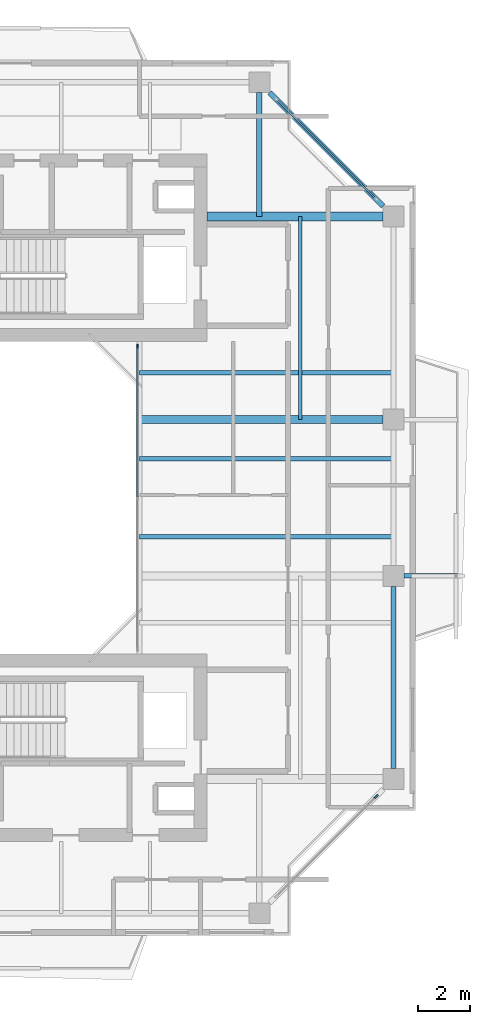
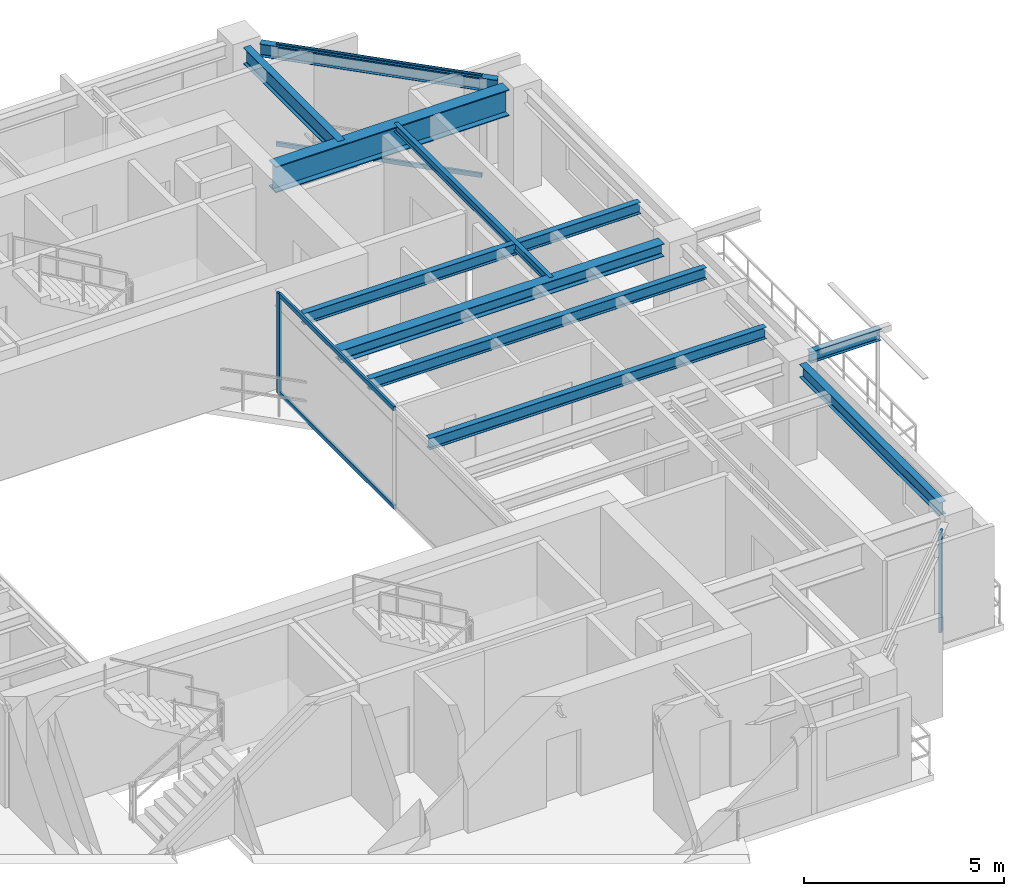
# One storey, part 6 of 16: 10 beams, 6 members, 3 elements without a shape of their own.
"""IFC4 building model written with IfcOpenShell, lengths in metres."""

from ifc_helpers import new_model, si_unit, direction, frame, origin, origin_2d, place, context, subcontext, project, spatial, rectangle, i_section, extrude, source, transform, mapped, material, layer, layer_set, material_profile, profile_set, type_object, element, aggregate, save


model = new_model("IFC4")

# Units and contexts
model_context = context("Model", 3, precision=1e-05, world=origin(), true_north=direction((0.0, 1.0)))
body_context = subcontext(model_context, "Body", "Model", "MODEL_VIEW")
ifc_project = project(units=[si_unit("LENGTHUNIT", "METRE"), si_unit("AREAUNIT", "SQUARE_METRE"), si_unit("VOLUMEUNIT", "CUBIC_METRE"), si_unit("PLANEANGLEUNIT", "RADIAN"), si_unit("MASSUNIT", "GRAM", prefix="KILO"), si_unit("THERMODYNAMICTEMPERATUREUNIT", "KELVIN"), si_unit("POWERUNIT", "WATT")], contexts=[model_context])

# Site, building, storey
site_placement = place(None, origin())
site = spatial("IfcSite", under=ifc_project, at=site_placement, CompositionType="ELEMENT")
building_placement = place(site_placement, origin())
building = spatial("IfcBuilding", under=site, at=building_placement, Name="Qiaomeng Ring Towers", CompositionType="ELEMENT")
storey_placement = place(building_placement, frame((0.0, 0.0, 197.0)))
storey = spatial("IfcBuildingStorey", under=building, at=storey_placement, Name="L57", CompositionType="ELEMENT", Elevation=197.0)

# Beams
ifc_material_1 = material(Name="Steel Q355B", Category="steel")
ifc_material_profile_1 = material_profile(ifc_material_1, i_section(OverallWidth=0.198974609375, OverallDepth=0.39599609375, WebThickness=0.007080078125, FlangeThickness=0.010986328125, FilletRadius=0.01611328125, at=origin_2d()), Name="HN 396x199x7x11")
ifc_profile_set_1 = profile_set([ifc_material_profile_1], Name="Steel Q355B")
beam_type_1 = type_object("IfcBeamType", Name="STR-BM-HN396", PredefinedType="SPANDREL", material=ifc_profile_set_1)
shared_shape_1 = source(origin(), body_context, "Body", "SweptSolid", [
    extrude(i_section(OverallWidth=0.198974609375, OverallDepth=0.39599609375, WebThickness=0.007080078125, FlangeThickness=0.010986328125, FilletRadius=0.01611328125, at=origin_2d()), origin(), (0.0, 0.0, 1.0), 6.154052734375),
])
beam_1_placement = place(storey_placement, frame((34.55078125, 34.19921875, 2.8720703125), z_axis=(-0.707106781187, 0.707106781187, 0.0), x_axis=(-0.707106781187, -0.707106781187, 0.0)))
element("IfcBeam", 1, at=beam_1_placement, inside=storey, type_object=beam_type_1, Name="L57 beam STR-SP-L57-T1-E4-N2", PredefinedType="SPANDREL", context=body_context, shape_type="MappedRepresentation", body=[
    mapped(shared_shape_1, transform((0.0, 0.0, 0.0), x_axis=(1.0, 0.0, 0.0), y_axis=(0.0, 1.0, 0.0), z_axis=(0.0, 0.0, 1.0), scale=1.0)),
])
shared_shape_2 = source(origin(), body_context, "Body", "SweptSolid", [
    extrude(i_section(OverallWidth=0.198974609375, OverallDepth=0.39599609375, WebThickness=0.007080078125, FlangeThickness=0.010986328125, FilletRadius=0.01611328125, at=origin_2d()), origin(), (0.0, 0.0, 1.0), 7.001953125),
])
beam_2_placement = place(storey_placement, frame((34.949951171875, 12.59912109375, 2.8720703125), z_axis=(0.0, 1.0, 0.0), x_axis=(-1.0, 0.0, 0.0)))
element("IfcBeam", 2, at=beam_2_placement, inside=storey, type_object=beam_type_1, Name="L57 beam STR-SP-L57-T1-E1-E2", PredefinedType="SPANDREL", context=body_context, shape_type="MappedRepresentation", body=[
    mapped(shared_shape_2, transform((0.0, 0.0, 0.0), x_axis=(1.0, 0.0, 0.0), y_axis=(0.0, 1.0, 0.0), z_axis=(0.0, 0.0, 1.0), scale=1.0)),
])
ifc_material_2 = material(Name="Steel Q390GJC", Category="steel")
ifc_material_profile_2 = material_profile(ifc_material_2, i_section(OverallWidth=0.35009765625, OverallDepth=0.800048828125, WebThickness=0.01611328125, FlangeThickness=0.028076171875, at=origin_2d()), Name="WH 800x350x16x28")
ifc_profile_set_2 = profile_set([ifc_material_profile_2], Name="Steel Q390GJC")
beam_type_2 = type_object("IfcBeamType", Name="STR-BM-WH800", PredefinedType="BEAM", material=ifc_profile_set_2)
shared_shape_3 = source(origin(), body_context, "Body", "SweptSolid", [
    extrude(i_section(OverallWidth=0.35009765625, OverallDepth=0.800048828125, WebThickness=0.01611328125, FlangeThickness=0.028076171875, at=origin_2d()), origin(), (0.0, 0.0, 1.0), 6.7509765625),
])
beam_3_placement = place(storey_placement, frame((27.800048828125, 33.800048828125, 2.669921875), z_axis=(1.0, 0.0, 0.0), x_axis=(0.0, 1.0, 0.0)))
element("IfcBeam", 3, at=beam_3_placement, inside=storey, type_object=beam_type_2, Name="L57 beam STR-BM-L57-T1-RAD-E4", PredefinedType="BEAM", context=body_context, shape_type="MappedRepresentation", body=[
    mapped(shared_shape_3, transform((0.0, 0.0, 0.0), x_axis=(1.0, 0.0, 0.0), y_axis=(0.0, 1.0, 0.0), z_axis=(0.0, 0.0, 1.0), scale=1.0)),
])
ifc_material_profile_3 = material_profile(ifc_material_1, i_section(OverallWidth=0.199951171875, OverallDepth=0.5, WebThickness=0.010009765625, FlangeThickness=0.01611328125, FilletRadius=0.02001953125, at=origin_2d()), Name="HN 500x200x10x16")
ifc_profile_set_3 = profile_set([ifc_material_profile_3], Name="Steel Q355B")
beam_type_3 = type_object("IfcBeamType", Name="STR-BM-HN500", PredefinedType="BEAM", material=ifc_profile_set_3)
shared_shape_4 = source(origin(), body_context, "Body", "SweptSolid", [
    extrude(i_section(OverallWidth=0.199951171875, OverallDepth=0.5, WebThickness=0.010009765625, FlangeThickness=0.01611328125, FilletRadius=0.02001953125, at=origin_2d()), origin(), (0.0, 0.0, 1.0), 4.7509765625),
])
beam_4_placement = place(storey_placement, frame((29.800048828125, 38.551025390625, 2.820068359375), z_axis=(0.0, -1.0, 0.0), x_axis=(1.0, 0.0, 0.0)))
element("IfcBeam", 4, at=beam_4_placement, inside=storey, type_object=beam_type_3, Name="L57 beam STR-BM-L57-T1-RAD-N2", PredefinedType="BEAM", context=body_context, shape_type="MappedRepresentation", body=[
    mapped(shared_shape_4, transform((0.0, 0.0, 0.0), x_axis=(1.0, 0.0, 0.0), y_axis=(0.0, 1.0, 0.0), z_axis=(0.0, 0.0, 1.0), scale=1.0)),
])
ifc_material_profile_4 = material_profile(ifc_material_1, i_section(OverallWidth=0.300048828125, OverallDepth=0.389892578125, WebThickness=0.010009765625, FlangeThickness=0.01611328125, FilletRadius=0.02197265625, at=origin_2d()), Name="HM 390x300x10x16")
ifc_profile_set_4 = profile_set([ifc_material_profile_4], Name="Steel Q355B")
beam_type_4 = type_object("IfcBeamType", Name="STR-BM-HM390", PredefinedType="BEAM", material=ifc_profile_set_4)
shared_shape_5 = source(origin(), body_context, "Body", "SweptSolid", [
    extrude(i_section(OverallWidth=0.300048828125, OverallDepth=0.389892578125, WebThickness=0.010009765625, FlangeThickness=0.01611328125, FilletRadius=0.02197265625, at=origin_2d()), origin(), (0.0, 0.0, 1.0), 9.35107421875),
])
beam_5_placement = place(storey_placement, frame((25.199951171875, 26.0, 2.875), z_axis=(1.0, 0.0, 0.0), x_axis=(0.0, 1.0, 0.0)))
element("IfcBeam", 5, at=beam_5_placement, inside=storey, type_object=beam_type_4, Name="L57 beam STR-BM-L57-T1-RAD-E3", PredefinedType="BEAM", context=body_context, shape_type="MappedRepresentation", body=[
    mapped(shared_shape_5, transform((0.0, 0.0, 0.0), x_axis=(1.0, 0.0, 0.0), y_axis=(0.0, 1.0, 0.0), z_axis=(0.0, 0.0, 1.0), scale=1.0)),
])
ifc_material_profile_5 = material_profile(ifc_material_1, i_section(OverallWidth=0.175048828125, OverallDepth=0.35009765625, WebThickness=0.007080078125, FlangeThickness=0.010986328125, FilletRadius=0.013916015625, at=origin_2d()), Name="HN 350x175x7x11")
ifc_profile_set_5 = profile_set([ifc_material_profile_5], Name="Steel Q355B")
beam_type_5 = type_object("IfcBeamType", Name="STR-BM-HN350", PredefinedType="JOIST", material=ifc_profile_set_5)
shared_shape_6 = source(origin(), body_context, "Body", "SweptSolid", [
    extrude(i_section(OverallWidth=0.175048828125, OverallDepth=0.35009765625, WebThickness=0.007080078125, FlangeThickness=0.010986328125, FilletRadius=0.013916015625, at=origin_2d()), origin(), (0.0, 0.0, 1.0), 2.05078125),
])
beam_6_placement = place(storey_placement, frame((35.34912109375, 20.0, 2.89501953125), z_axis=(1.0, 0.0, 0.0), x_axis=(0.0, 1.0, 0.0)))
element("IfcBeam", 6, at=beam_6_placement, inside=storey, type_object=beam_type_5, Name="L57 beam STR-BALBM-L57-E2", PredefinedType="JOIST", context=body_context, shape_type="MappedRepresentation", body=[
    mapped(shared_shape_6, transform((0.0, 0.0, 0.0), x_axis=(1.0, 0.0, 0.0), y_axis=(0.0, 1.0, 0.0), z_axis=(0.0, 0.0, 1.0), scale=1.0)),
])
shared_shape_7 = source(origin(), body_context, "Body", "SweptSolid", [
    extrude(i_section(OverallWidth=0.175048828125, OverallDepth=0.35009765625, WebThickness=0.007080078125, FlangeThickness=0.010986328125, FilletRadius=0.013916015625, at=origin_2d()), origin(), (0.0, 0.0, 1.0), 9.75),
])
for number, where, z_axis, x_axis, name in (
    (7, (25.199951171875, 21.5, 2.89501953125), (1.0, 0.0, 0.0), (0.0, 1.0, 0.0), "L57 beam STR-JST-L57-T1E-2"),
    (8, (25.199951171875, 24.5, 2.89501953125), (1.0, 0.0, 0.0), (0.0, 1.0, 0.0), "L57 beam STR-JST-L57-T1E-3"),
    (9, (25.199951171875, 27.800048828125, 2.89501953125), (1.0, 0.0, 0.0), (0.0, 1.0, 0.0), "L57 beam STR-JST-L57-T1E-4"),
):
    element("IfcBeam", number, at=place(storey_placement, frame(where, z_axis=z_axis, x_axis=x_axis)), inside=storey, type_object=beam_type_5, Name=name, PredefinedType="JOIST", context=body_context, shape_type="MappedRepresentation", body=[
        mapped(shared_shape_7, transform((0.0, 0.0, 0.0), x_axis=(1.0, 0.0, 0.0), y_axis=(0.0, 1.0, 0.0), z_axis=(0.0, 0.0, 1.0), scale=1.0)),
    ])
ifc_material_profile_6 = material_profile(ifc_material_1, i_section(OverallWidth=0.125, OverallDepth=0.25, WebThickness=0.006103515625, FlangeThickness=0.009033203125, FilletRadius=0.011962890625, at=origin_2d()), Name="HN 250x125x6x9")
ifc_profile_set_6 = profile_set([ifc_material_profile_6], Name="Steel Q355B")
beam_type_6 = type_object("IfcBeamType", Name="STR-BM-HN250", PredefinedType="JOIST", material=ifc_profile_set_6)
shared_shape_8 = source(origin(), body_context, "Body", "SweptSolid", [
    extrude(i_section(OverallWidth=0.125, OverallDepth=0.25, WebThickness=0.006103515625, FlangeThickness=0.009033203125, FilletRadius=0.011962890625, at=origin_2d()), origin(), (0.0, 0.0, 1.0), 7.800048828125),
])
beam_7_placement = place(storey_placement, frame((31.375, 26.0, 2.945068359375), z_axis=(0.0, 1.0, 0.0), x_axis=(-1.0, 0.0, 0.0)))
element("IfcBeam", 10, at=beam_7_placement, inside=storey, type_object=beam_type_6, Name="L57 beam STR-JST-L57-T1C-EN", PredefinedType="JOIST", context=body_context, shape_type="MappedRepresentation", body=[
    mapped(shared_shape_8, transform((0.0, 0.0, 0.0), x_axis=(1.0, 0.0, 0.0), y_axis=(0.0, 1.0, 0.0), z_axis=(0.0, 0.0, 1.0), scale=1.0)),
])

# Curtain wall, members
ifc_material_3 = material(Name="Fluorocarbon dark-grey aluminium", Category="aluminium")
ifc_layer_1 = layer(ifc_material_3, 0.139892578125, Name="Fluorocarbon dark-grey aluminium")
ifc_layer_set_1 = layer_set([ifc_layer_1], Name="Fluorocarbon dark-grey aluminium")
curtain_wall_type_1 = type_object("IfcCurtainWallType", Name="ARC-CW-4", PredefinedType="NOTDEFINED", material=ifc_layer_set_1)
curtain_wall_1_placement = place(storey_placement, origin())
curtain_wall_1 = element("IfcCurtainWall", 11, at=curtain_wall_1_placement, inside=storey, type_object=curtain_wall_type_1, Name="L57 Curtain Wall CW4", PredefinedType="NOTDEFINED")
ifc_material_profile_7 = material_profile(ifc_material_3, rectangle(XDim=0.06494140625, YDim=0.159912109375, at=origin_2d()), Name="ALU MULL 65x160")
ifc_profile_set_7 = profile_set([ifc_material_profile_7], Name="Fluorocarbon dark-grey aluminium")
member_type_1 = type_object("IfcMemberType", Name="ARC-CWM-140", PredefinedType="MULLION", material=ifc_profile_set_7)
shared_shape_9 = source(origin(), body_context, "Body", "SweptSolid", [
    extrude(rectangle(XDim=0.06494140625, YDim=0.159912109375, at=origin_2d()), origin(), (0.0, 0.0, 1.0), 3.070068359375),
])
member_1_placement = place(storey_placement, frame((25.1201171875, 28.8173828125, 0.0), z_axis=(0.0, 0.0, 1.0), x_axis=(-1.0, 0.0, 0.0)))
member_1 = element("IfcMember", 12, at=member_1_placement, type_object=member_type_1, Name="CW4 mullion 3", PredefinedType="MULLION", context=body_context, shape_type="MappedRepresentation", body=[
    mapped(shared_shape_9, transform((0.0, 0.0, 0.0), x_axis=(1.0, 0.0, 0.0), y_axis=(0.0, 1.0, 0.0), z_axis=(0.0, 0.0, 1.0), scale=1.0)),
])
ifc_material_profile_8 = material_profile(ifc_material_3, rectangle(XDim=0.06494140625, YDim=0.1298828125, at=origin_2d()), Name="ALU TRAN 65x130")
ifc_profile_set_8 = profile_set([ifc_material_profile_8], Name="Fluorocarbon dark-grey aluminium")
member_type_2 = type_object("IfcMemberType", Name="ARC-CWT-120", PredefinedType="USERDEFINED", material=ifc_profile_set_8)
shared_shape_10 = source(origin(), body_context, "Body", "SweptSolid", [
    extrude(rectangle(XDim=0.06494140625, YDim=0.1298828125, at=origin_2d()), origin(), (0.0, 0.0, 1.0), 5.75244140625),
])
member_2_placement = place(storey_placement, frame((25.1201171875, 23.032470703125, 0.032470703125), z_axis=(0.0, 1.0, 0.0), x_axis=(-1.0, 0.0, 0.0)))
member_2 = element("IfcMember", 13, at=member_2_placement, type_object=member_type_2, Name="CW4 transom 2.1", ObjectType="TRANSOM", PredefinedType="USERDEFINED", context=body_context, shape_type="MappedRepresentation", body=[
    mapped(shared_shape_10, transform((0.0, 0.0, 0.0), x_axis=(1.0, 0.0, 0.0), y_axis=(0.0, 1.0, 0.0), z_axis=(0.0, 0.0, 1.0), scale=1.0)),
])
member_3_placement = place(storey_placement, frame((25.1201171875, 23.032470703125, 3.03759765625), z_axis=(0.0, 1.0, 0.0), x_axis=(-1.0, 0.0, 0.0)))
member_3 = element("IfcMember", 14, at=member_3_placement, type_object=member_type_2, Name="CW4 transom 2.2", ObjectType="TRANSOM", PredefinedType="USERDEFINED", context=body_context, shape_type="MappedRepresentation", body=[
    mapped(shared_shape_10, transform((0.0, 0.0, 0.0), x_axis=(1.0, 0.0, 0.0), y_axis=(0.0, 1.0, 0.0), z_axis=(0.0, 0.0, 1.0), scale=1.0)),
])
aggregate(curtain_wall_1, [member_1, member_2, member_3])

# Curtain wall, member
ifc_layer_2 = layer(ifc_material_3, 0.14990234375, Name="Fluorocarbon dark-grey aluminium")
ifc_layer_set_2 = layer_set([ifc_layer_2], Name="Fluorocarbon dark-grey aluminium")
curtain_wall_type_2 = type_object("IfcCurtainWallType", Name="ARC-CW-3", PredefinedType="NOTDEFINED", material=ifc_layer_set_2)
curtain_wall_2_placement = place(storey_placement, origin())
curtain_wall_2 = element("IfcCurtainWall", 15, at=curtain_wall_2_placement, inside=storey, type_object=curtain_wall_type_2, Name="L57 Curtain Wall CW3", PredefinedType="NOTDEFINED")
ifc_material_profile_9 = material_profile(ifc_material_3, rectangle(XDim=0.070068359375, YDim=0.179931640625, at=origin_2d()), Name="ALU MULL 70x180")
ifc_profile_set_9 = profile_set([ifc_material_profile_9], Name="Fluorocarbon dark-grey aluminium")
member_type_3 = type_object("IfcMemberType", Name="ARC-CWM-160", PredefinedType="MULLION", material=ifc_profile_set_9)
shared_shape_11 = source(origin(), body_context, "Body", "SweptSolid", [
    extrude(rectangle(XDim=0.070068359375, YDim=0.179931640625, at=origin_2d()), origin(), (0.0, 0.0, 1.0), 3.070068359375),
])
member_4_placement = place(storey_placement, frame((34.28515625, 11.53515625, 0.0), z_axis=(0.0, 0.0, 1.0), x_axis=(-0.707106781187, 0.707106781187, 0.0)))
member_4 = element("IfcMember", 16, at=member_4_placement, type_object=member_type_3, Name="CW3 mullion 2", PredefinedType="MULLION", context=body_context, shape_type="MappedRepresentation", body=[
    mapped(shared_shape_11, transform((0.0, 0.0, 0.0), x_axis=(1.0, 0.0, 0.0), y_axis=(0.0, 1.0, 0.0), z_axis=(0.0, 0.0, 1.0), scale=1.0)),
])
aggregate(curtain_wall_2, [member_4])

# Curtain wall, members
curtain_wall_3_placement = place(storey_placement, origin())
curtain_wall_3 = element("IfcCurtainWall", 17, at=curtain_wall_3_placement, inside=storey, type_object=curtain_wall_type_2, Name="L57 Curtain Wall CW3", PredefinedType="NOTDEFINED")
shared_shape_12 = source(origin(), body_context, "Body", "SweptSolid", [
    extrude(rectangle(XDim=0.06494140625, YDim=0.1298828125, at=origin_2d()), origin(), (0.0, 0.0, 1.0), 5.3330078125),
])
member_5_placement = place(storey_placement, frame((34.260498046875, 34.489501953125, 0.032470703125), z_axis=(-0.707106781187, 0.707106781187, 0.0), x_axis=(-0.707106781187, -0.707106781187, 0.0)))
member_5 = element("IfcMember", 18, at=member_5_placement, type_object=member_type_2, Name="CW3 transom 1.1", ObjectType="TRANSOM", PredefinedType="USERDEFINED", context=body_context, shape_type="MappedRepresentation", body=[
    mapped(shared_shape_12, transform((0.0, 0.0, 0.0), x_axis=(1.0, 0.0, 0.0), y_axis=(0.0, 1.0, 0.0), z_axis=(0.0, 0.0, 1.0), scale=1.0)),
])
member_6_placement = place(storey_placement, frame((34.260498046875, 34.489501953125, 3.03759765625), z_axis=(-0.707106781187, 0.707106781187, 0.0), x_axis=(-0.707106781187, -0.707106781187, 0.0)))
member_6 = element("IfcMember", 19, at=member_6_placement, type_object=member_type_2, Name="CW3 transom 1.2", ObjectType="TRANSOM", PredefinedType="USERDEFINED", context=body_context, shape_type="MappedRepresentation", body=[
    mapped(shared_shape_12, transform((0.0, 0.0, 0.0), x_axis=(1.0, 0.0, 0.0), y_axis=(0.0, 1.0, 0.0), z_axis=(0.0, 0.0, 1.0), scale=1.0)),
])
aggregate(curtain_wall_3, [member_5, member_6])

save(model, "model.ifc")
